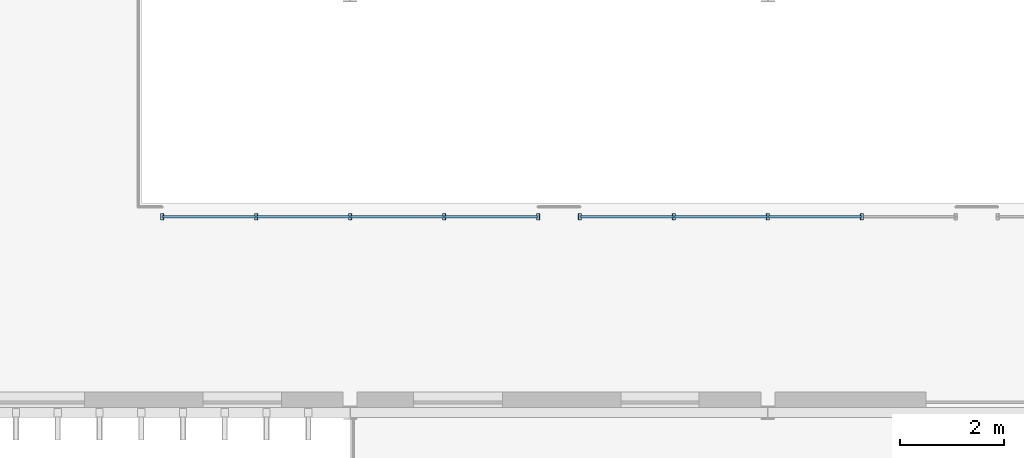
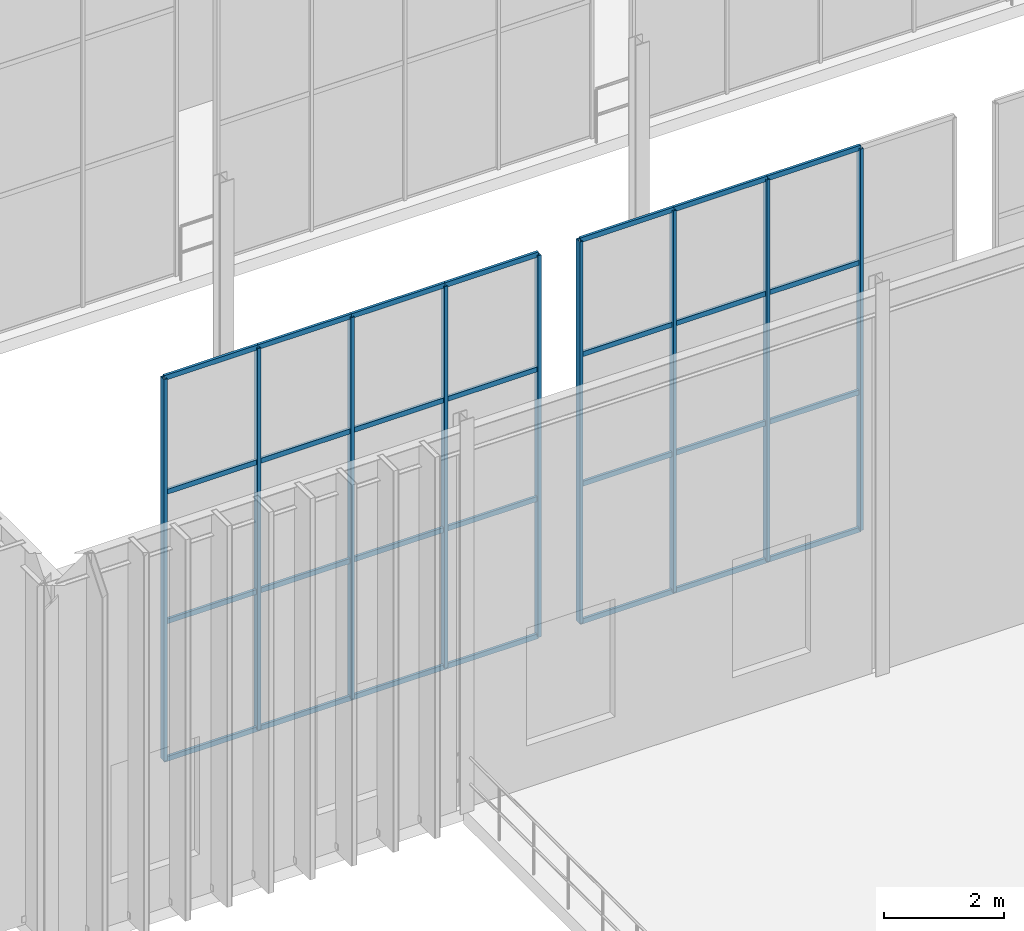
# One storey, part 56 of 138: 37 members, 2 elements without a shape of their own.
"""IFC4 building model written with IfcOpenShell, lengths in metres."""

import ifcopenshell
import ifcopenshell.guid

model = None  # the IFC model being written
_history = None  # IfcOwnerHistory: only IFC2X3 demands one
_inside = {}  # id of a spatial element -> (the spatial element, [elements in it])
_under = {}  # id of a project, library or spatial element -> (it, [spatial elements below it])
_declared = {}  # id of a project -> (the project, [libraries it declares])
_typed = {}  # id of a type object -> (the type object, [elements of that type])
_made_of = {}  # id of a material, layer set ... -> (it, [elements and type objects made of it])


def new_model(schema):
    """Start an empty IFC model of exactly this schema.

    Asked for "IFC4X3", IfcOpenShell would pick the latest addendum, in which some entities
    have other attributes; the version numbers below select the first issue.
    IFC2X3 requires an IfcOwnerHistory on every rooted entity: one is made here for all.
    """
    global model, _history
    if schema == "IFC4X3":
        model = ifcopenshell.file(schema_version=(4, 3, 0, 0))
    else:
        model = ifcopenshell.file(schema=schema)
    _inside.clear()
    _under.clear()
    _declared.clear()
    _typed.clear()
    _made_of.clear()
    _history = None
    if model.schema == "IFC2X3":
        org = make("IfcOrganization", Name="unknown")
        user = make(
            "IfcPersonAndOrganization",
            ThePerson=make("IfcPerson", FamilyName="unknown"),
            TheOrganization=org,
        )
        app = make(
            "IfcApplication",
            ApplicationDeveloper=org,
            Version="unknown",
            ApplicationFullName="unknown",
            ApplicationIdentifier="unknown",
        )
        _history = make(
            "IfcOwnerHistory",
            OwningUser=user,
            OwningApplication=app,
            ChangeAction="ADDED",
            CreationDate=0,
        )
    return model


def make(cls, **values):
    """One entity of the class cls with the attributes given. An attribute that is None is left unset."""
    return model.create_entity(
        cls, **{name: value for name, value in values.items() if value is not None}
    )


def rooted(cls, **values):
    """An entity with a GlobalId (a new one), such as an element, a storey or a relation."""
    return make(cls, GlobalId=ifcopenshell.guid.new(), OwnerHistory=_history, **values)


def si_unit(unit_type, name, prefix=None):
    """IfcSIUnit, for example si_unit("LENGTHUNIT", "METRE", prefix="MILLI")."""
    return make("IfcSIUnit", UnitType=unit_type, Prefix=prefix, Name=name)


def assignment(units):
    """IfcUnitAssignment: the units of a project."""
    return None if units is None else make("IfcUnitAssignment", Units=units)


def point(xyz):
    """IfcCartesianPoint."""
    return None if xyz is None else make("IfcCartesianPoint", Coordinates=xyz)


def direction(xyz):
    """IfcDirection."""
    return None if xyz is None else make("IfcDirection", DirectionRatios=xyz)


def frame(location, z_axis=None, x_axis=None):
    """IfcAxis2Placement3D, a coordinate frame: its origin and axes. An axis left out is left unset."""
    return make(
        "IfcAxis2Placement3D",
        Location=point(location),
        Axis=direction(z_axis),
        RefDirection=direction(x_axis),
    )


def frame_2d(location, x_axis=None):
    """IfcAxis2Placement2D, a coordinate frame in the plane: its origin and x axis."""
    return make(
        "IfcAxis2Placement2D", Location=point(location), RefDirection=direction(x_axis)
    )


def origin():
    """The frame at (0, 0, 0) with its axes left unset."""
    return frame((0.0, 0.0, 0.0))


def origin_2d():
    """The frame at (0, 0) in the plane with its x axis left unset."""
    return frame_2d((0.0, 0.0))


def place(relative_to, where):
    """IfcLocalPlacement: puts the frame where relative to a parent placement (None: the world)."""
    return make(
        "IfcLocalPlacement", PlacementRelTo=relative_to, RelativePlacement=where
    )


def context(
    kind, dimensions, precision=None, world=None, true_north=None, identifier=None
):
    """IfcGeometricRepresentationContext, for example the 3D "Model" context."""
    return make(
        "IfcGeometricRepresentationContext",
        ContextIdentifier=identifier,
        ContextType=kind,
        CoordinateSpaceDimension=dimensions,
        Precision=precision,
        WorldCoordinateSystem=world,
        TrueNorth=true_north,
    )


def subcontext(parent, identifier, kind, view, scale=None):
    """IfcGeometricRepresentationSubContext, for example "Body" below "Model"."""
    return make(
        "IfcGeometricRepresentationSubContext",
        ContextIdentifier=identifier,
        ContextType=kind,
        ParentContext=parent,
        TargetScale=scale,
        TargetView=view,
    )


def project(units=None, contexts=None):
    """IfcProject with its units and contexts."""
    return rooted(
        "IfcProject",
        Name="project",
        RepresentationContexts=contexts,
        UnitsInContext=assignment(units),
    )


def spatial(cls, under=None, at=None, **own):
    """A site, building, storey or space (cls), placed at a placement, below another one or the project."""
    s = rooted(cls, ObjectPlacement=at, **own)
    if under is not None:
        _under.setdefault(under.id(), (under, []))[1].append(s)
    return s


def profile(cls, at=None, kind="AREA", **sizes):
    """A parametric profile (cls). Its sizes go by their IFC names, for example OverallWidth=200.0."""
    return make(cls, ProfileType=kind, Position=at, **sizes)


def hollow_rectangle(**sizes):
    """IfcRectangleHollowProfileDef."""
    return profile("IfcRectangleHollowProfileDef", **sizes)


def extrude(swept, where, along, depth):
    """IfcExtrudedAreaSolid: the profile swept, set in the frame where, extruded along a direction by depth."""
    return make(
        "IfcExtrudedAreaSolid",
        SweptArea=swept,
        Position=where,
        ExtrudedDirection=direction(along),
        Depth=depth,
    )


def shape(context_of_items, identifier, shape_type, items):
    """IfcShapeRepresentation: the items that make up one representation, for example the "Body"."""
    return make(
        "IfcShapeRepresentation",
        ContextOfItems=context_of_items,
        RepresentationIdentifier=identifier,
        RepresentationType=shape_type,
        Items=items,
    )


def material(Name=None, Category=None):
    """IfcMaterial."""
    return make("IfcMaterial", Name=Name, Category=Category)


def material_profile(
    of_material, cross_section, Name=None, Category=None, Priority=None
):
    """IfcMaterialProfile: a cross section and its material."""
    return make(
        "IfcMaterialProfile",
        Name=Name,
        Material=of_material,
        Profile=cross_section,
        Priority=Priority,
        Category=Category,
    )


def profile_set(profiles, Name=None, composite=None):
    """IfcMaterialProfileSet."""
    return make(
        "IfcMaterialProfileSet",
        Name=Name,
        MaterialProfiles=profiles,
        CompositeProfile=composite,
    )


def made_of(thing, what):
    """Note that an element or type object is made of a material, layer set ...; save() writes the relation."""
    if what is not None:
        _made_of.setdefault(what.id(), (what, []))[1].append(thing)
    return thing


def type_object(cls, material=None, **own):
    """A type object (cls), such as IfcWallType, which elements share."""
    return made_of(rooted(cls, **own), material)


def element(
    cls,
    number,
    at=None,
    inside=None,
    cuts=None,
    type_object=None,
    material=None,
    context=None,
    identifier="Body",
    shape_type=None,
    held_by="IfcProductDefinitionShape",
    body=None,
    shapes=None,
    **own,
):
    """One element of the class cls, such as IfcWall. Its Tag is "e" and its number.

    at: its placement. inside: the storey or other place that contains it. cuts: it is an
    opening in that element (IfcRelVoidsElement). A single representation is given by context,
    identifier, shape_type and body (its items); several are given by shapes. held_by: the class
    of the entity that holds the representations. save() writes the other relations.
    """
    e = rooted(cls, Tag="e%d" % number, ObjectPlacement=at, **own)
    if body is not None:
        shapes = [shape(context, identifier, shape_type, body)]
    if shapes is not None:
        e.Representation = make(held_by, Representations=shapes)
    if inside is not None:
        _inside.setdefault(inside.id(), (inside, []))[1].append(e)
    if cuts is not None:
        rooted(
            "IfcRelVoidsElement", RelatingBuildingElement=cuts, RelatedOpeningElement=e
        )
    if type_object is not None:
        _typed.setdefault(type_object.id(), (type_object, []))[1].append(e)
    return made_of(e, material)


def aggregate(whole, parts):
    """IfcRelAggregates: a whole, such as a stair, and the parts it consists of."""
    return rooted("IfcRelAggregates", RelatingObject=whole, RelatedObjects=parts)


def save(model, path):
    """Write the relations noted so far, then the file.

    IfcRelAggregates (storeys below a building ...), IfcRelContainedInSpatialStructure (elements
    in a storey), IfcRelDefinesByType, IfcRelAssociatesMaterial and IfcRelDeclares: one each for
    every whole, place, type object, material and project.
    """
    for whole, parts in _under.values():
        aggregate(whole, parts)
    for where, things in _inside.values():
        rooted(
            "IfcRelContainedInSpatialStructure",
            RelatedElements=things,
            RelatingStructure=where,
        )
    for kind, things in _typed.values():
        rooted("IfcRelDefinesByType", RelatedObjects=things, RelatingType=kind)
    for what, things in _made_of.values():
        rooted("IfcRelAssociatesMaterial", RelatedObjects=things, RelatingMaterial=what)
    for by, libraries in _declared.values():
        rooted("IfcRelDeclares", RelatingContext=by, RelatedDefinitions=libraries)
    model.write(path)


model = new_model("IFC4")

# Units and contexts
model_context = context("Model", 3, precision=1e-05, world=origin(), true_north=direction((0.0, 1.0)))
body_context = subcontext(model_context, "Body", "Model", "MODEL_VIEW")
ifc_project = project(units=[si_unit("LENGTHUNIT", "METRE"), si_unit("AREAUNIT", "SQUARE_METRE"), si_unit("VOLUMEUNIT", "CUBIC_METRE"), si_unit("PLANEANGLEUNIT", "RADIAN"), si_unit("MASSUNIT", "GRAM", prefix="KILO")], contexts=[model_context])

# Site, building, storey
site_placement = place(None, origin())
site = spatial("IfcSite", under=ifc_project, at=site_placement, CompositionType="ELEMENT")
building_placement = place(site_placement, origin())
building = spatial("IfcBuilding", under=site, at=building_placement, Name="Sundkrona Museum", CompositionType="ELEMENT")
storey_placement = place(building_placement, frame((0.0, 0.0, 9.60009765625)))
storey = spatial("IfcBuildingStorey", under=building, at=storey_placement, Name="L02", CompositionType="ELEMENT", Elevation=9.60009765625)

# Curtain wall, members
ifc_material_1 = material(Name="Unitised Aluminium-Steel and Ceramic-Clad Curtain Walling", Category="steel")
curtain_wall_type = type_object("IfcCurtainWallType", Name="CW-CL-64x48", PredefinedType="NOTDEFINED", material=ifc_material_1)
curtain_wall_1_placement = place(storey_placement, origin())
curtain_wall_1 = element("IfcCurtainWall", 1, at=curtain_wall_1_placement, inside=storey, type_object=curtain_wall_type, Name="L02 Curtain Wall CW-L02-130", PredefinedType="NOTDEFINED")
ifc_material_2 = material(Name="Aluminium EN AW-6060 T66", Category="aluminium")
ifc_material_profile_1 = material_profile(ifc_material_2, hollow_rectangle(XDim=0.06005859375, YDim=0.1201171875, WallThickness=0.0048828125, at=origin_2d()), Name="RHS 120x60x5.0")
ifc_profile_set_1 = profile_set([ifc_material_profile_1], Name="Aluminium EN AW-6060 T66")
member_type_1 = type_object("IfcMemberType", Name="ML-120", PredefinedType="MULLION", material=ifc_profile_set_1)
member_1_placement = place(storey_placement, frame((20.39990234375, 81.75, -0.004150390625), z_axis=(0.0, 0.0, 1.0), x_axis=(1.0, 0.0, 0.0)))
member_1 = element("IfcMember", 2, at=member_1_placement, type_object=member_type_1, Name="CW-L02-130 Mullion 01", PredefinedType="MULLION", context=body_context, shape_type="SweptSolid", body=[
    extrude(hollow_rectangle(XDim=0.06005859375, YDim=0.1201171875, WallThickness=0.0048828125, at=origin_2d()), origin(), (0.0, 0.0, 1.0), 7.76806640625),
])
member_2_placement = place(storey_placement, frame((22.199951171875, 81.75, -0.004150390625), z_axis=(0.0, 0.0, 1.0), x_axis=(1.0, 0.0, 0.0)))
member_2 = element("IfcMember", 3, at=member_2_placement, type_object=member_type_1, Name="CW-L02-130 Mullion 02", PredefinedType="MULLION", context=body_context, shape_type="SweptSolid", body=[
    extrude(hollow_rectangle(XDim=0.06005859375, YDim=0.1201171875, WallThickness=0.0048828125, at=origin_2d()), origin(), (0.0, 0.0, 1.0), 7.76806640625),
])
member_3_placement = place(storey_placement, frame((24.0, 81.75, -0.004150390625), z_axis=(0.0, 0.0, 1.0), x_axis=(1.0, 0.0, 0.0)))
member_3 = element("IfcMember", 4, at=member_3_placement, type_object=member_type_1, Name="CW-L02-130 Mullion 03", PredefinedType="MULLION", context=body_context, shape_type="SweptSolid", body=[
    extrude(hollow_rectangle(XDim=0.06005859375, YDim=0.1201171875, WallThickness=0.0048828125, at=origin_2d()), origin(), (0.0, 0.0, 1.0), 7.76806640625),
])
member_4_placement = place(storey_placement, frame((25.800048828125, 81.75, -0.004150390625), z_axis=(0.0, 0.0, 1.0), x_axis=(1.0, 0.0, 0.0)))
member_4 = element("IfcMember", 5, at=member_4_placement, type_object=member_type_1, Name="CW-L02-130 Mullion 04", PredefinedType="MULLION", context=body_context, shape_type="SweptSolid", body=[
    extrude(hollow_rectangle(XDim=0.06005859375, YDim=0.1201171875, WallThickness=0.0048828125, at=origin_2d()), origin(), (0.0, 0.0, 1.0), 7.76806640625),
])
member_5_placement = place(storey_placement, frame((27.60009765625, 81.75, -0.004150390625), z_axis=(0.0, 0.0, 1.0), x_axis=(1.0, 0.0, 0.0)))
member_5 = element("IfcMember", 6, at=member_5_placement, type_object=member_type_1, Name="CW-L02-130 Mullion 05", PredefinedType="MULLION", context=body_context, shape_type="SweptSolid", body=[
    extrude(hollow_rectangle(XDim=0.06005859375, YDim=0.1201171875, WallThickness=0.0048828125, at=origin_2d()), origin(), (0.0, 0.0, 1.0), 7.76806640625),
])

curtain_wall_2_placement = place(storey_placement, origin())
curtain_wall_2 = element("IfcCurtainWall", 7, at=curtain_wall_2_placement, inside=storey, type_object=curtain_wall_type, Name="L02 Curtain Wall CW-L02-132", PredefinedType="NOTDEFINED")
member_6_placement = place(storey_placement, frame((28.39990234375, 81.75, -0.004150390625), z_axis=(0.0, 0.0, 1.0), x_axis=(1.0, 0.0, 0.0)))
member_6 = element("IfcMember", 8, at=member_6_placement, type_object=member_type_1, Name="CW-L02-132 Mullion 01", PredefinedType="MULLION", context=body_context, shape_type="SweptSolid", body=[
    extrude(hollow_rectangle(XDim=0.06005859375, YDim=0.1201171875, WallThickness=0.0048828125, at=origin_2d()), origin(), (0.0, 0.0, 1.0), 7.76806640625),
])
member_7_placement = place(storey_placement, frame((30.199951171875, 81.75, -0.004150390625), z_axis=(0.0, 0.0, 1.0), x_axis=(1.0, 0.0, 0.0)))
member_7 = element("IfcMember", 9, at=member_7_placement, type_object=member_type_1, Name="CW-L02-132 Mullion 02", PredefinedType="MULLION", context=body_context, shape_type="SweptSolid", body=[
    extrude(hollow_rectangle(XDim=0.06005859375, YDim=0.1201171875, WallThickness=0.0048828125, at=origin_2d()), origin(), (0.0, 0.0, 1.0), 7.76806640625),
])
member_8_placement = place(storey_placement, frame((32.0, 81.75, -0.004150390625), z_axis=(0.0, 0.0, 1.0), x_axis=(1.0, 0.0, 0.0)))
member_8 = element("IfcMember", 10, at=member_8_placement, type_object=member_type_1, Name="CW-L02-132 Mullion 03", PredefinedType="MULLION", context=body_context, shape_type="SweptSolid", body=[
    extrude(hollow_rectangle(XDim=0.06005859375, YDim=0.1201171875, WallThickness=0.0048828125, at=origin_2d()), origin(), (0.0, 0.0, 1.0), 7.76806640625),
])
member_9_placement = place(storey_placement, frame((33.800048828125, 81.75, -0.004150390625), z_axis=(0.0, 0.0, 1.0), x_axis=(1.0, 0.0, 0.0)))
member_9 = element("IfcMember", 11, at=member_9_placement, type_object=member_type_1, Name="CW-L02-132 Mullion 04", PredefinedType="MULLION", context=body_context, shape_type="SweptSolid", body=[
    extrude(hollow_rectangle(XDim=0.06005859375, YDim=0.1201171875, WallThickness=0.0048828125, at=origin_2d()), origin(), (0.0, 0.0, 1.0), 7.76806640625),
])

# Member
ifc_material_profile_2 = material_profile(ifc_material_2, hollow_rectangle(XDim=0.050048828125, YDim=0.10009765625, WallThickness=0.0048828125, at=origin_2d()), Name="RHS 100x50x5.0")
ifc_profile_set_2 = profile_set([ifc_material_profile_2], Name="Aluminium EN AW-6060 T66")
member_type_2 = type_object("IfcMemberType", Name="TR-100", PredefinedType="USERDEFINED", material=ifc_profile_set_2)
member_10_placement = place(storey_placement, frame((20.39990234375, 81.75, -0.004150390625), z_axis=(1.0, 0.0, 0.0), x_axis=(0.0, 1.0, 0.0)))
member_10 = element("IfcMember", 12, at=member_10_placement, type_object=member_type_2, Name="CW-L02-130 Transom 01", ObjectType="TRANSOM", PredefinedType="USERDEFINED", context=body_context, shape_type="SweptSolid", body=[
    extrude(hollow_rectangle(XDim=0.050048828125, YDim=0.10009765625, WallThickness=0.0048828125, at=origin_2d()), origin(), (0.0, 0.0, 1.0), 1.800048828125),
])

member_11_placement = place(storey_placement, frame((20.39990234375, 81.75, 2.7939453125), z_axis=(1.0, 0.0, 0.0), x_axis=(0.0, 1.0, 0.0)))
member_11 = element("IfcMember", 13, at=member_11_placement, type_object=member_type_2, Name="CW-L02-130 Transom 02", ObjectType="TRANSOM", PredefinedType="USERDEFINED", context=body_context, shape_type="SweptSolid", body=[
    extrude(hollow_rectangle(XDim=0.050048828125, YDim=0.10009765625, WallThickness=0.0048828125, at=origin_2d()), origin(), (0.0, 0.0, 1.0), 1.800048828125),
])

member_12_placement = place(storey_placement, frame((20.39990234375, 81.75, 5.431884765625), z_axis=(1.0, 0.0, 0.0), x_axis=(0.0, 1.0, 0.0)))
member_12 = element("IfcMember", 14, at=member_12_placement, type_object=member_type_2, Name="CW-L02-130 Transom 03", ObjectType="TRANSOM", PredefinedType="USERDEFINED", context=body_context, shape_type="SweptSolid", body=[
    extrude(hollow_rectangle(XDim=0.050048828125, YDim=0.10009765625, WallThickness=0.0048828125, at=origin_2d()), origin(), (0.0, 0.0, 1.0), 1.800048828125),
])

member_13_placement = place(storey_placement, frame((20.39990234375, 81.75, 7.763916015625), z_axis=(1.0, 0.0, 0.0), x_axis=(0.0, 1.0, 0.0)))
member_13 = element("IfcMember", 15, at=member_13_placement, type_object=member_type_2, Name="CW-L02-130 Transom 04", ObjectType="TRANSOM", PredefinedType="USERDEFINED", context=body_context, shape_type="SweptSolid", body=[
    extrude(hollow_rectangle(XDim=0.050048828125, YDim=0.10009765625, WallThickness=0.0048828125, at=origin_2d()), origin(), (0.0, 0.0, 1.0), 1.800048828125),
])

member_14_placement = place(storey_placement, frame((22.199951171875, 81.75, -0.004150390625), z_axis=(1.0, 0.0, 0.0), x_axis=(0.0, 1.0, 0.0)))
member_14 = element("IfcMember", 16, at=member_14_placement, type_object=member_type_2, Name="CW-L02-130 Transom 05", ObjectType="TRANSOM", PredefinedType="USERDEFINED", context=body_context, shape_type="SweptSolid", body=[
    extrude(hollow_rectangle(XDim=0.050048828125, YDim=0.10009765625, WallThickness=0.0048828125, at=origin_2d()), origin(), (0.0, 0.0, 1.0), 1.800048828125),
])

member_15_placement = place(storey_placement, frame((22.199951171875, 81.75, 2.7939453125), z_axis=(1.0, 0.0, 0.0), x_axis=(0.0, 1.0, 0.0)))
member_15 = element("IfcMember", 17, at=member_15_placement, type_object=member_type_2, Name="CW-L02-130 Transom 06", ObjectType="TRANSOM", PredefinedType="USERDEFINED", context=body_context, shape_type="SweptSolid", body=[
    extrude(hollow_rectangle(XDim=0.050048828125, YDim=0.10009765625, WallThickness=0.0048828125, at=origin_2d()), origin(), (0.0, 0.0, 1.0), 1.800048828125),
])

member_16_placement = place(storey_placement, frame((22.199951171875, 81.75, 5.431884765625), z_axis=(1.0, 0.0, 0.0), x_axis=(0.0, 1.0, 0.0)))
member_16 = element("IfcMember", 18, at=member_16_placement, type_object=member_type_2, Name="CW-L02-130 Transom 07", ObjectType="TRANSOM", PredefinedType="USERDEFINED", context=body_context, shape_type="SweptSolid", body=[
    extrude(hollow_rectangle(XDim=0.050048828125, YDim=0.10009765625, WallThickness=0.0048828125, at=origin_2d()), origin(), (0.0, 0.0, 1.0), 1.800048828125),
])

member_17_placement = place(storey_placement, frame((22.199951171875, 81.75, 7.763916015625), z_axis=(1.0, 0.0, 0.0), x_axis=(0.0, 1.0, 0.0)))
member_17 = element("IfcMember", 19, at=member_17_placement, type_object=member_type_2, Name="CW-L02-130 Transom 08", ObjectType="TRANSOM", PredefinedType="USERDEFINED", context=body_context, shape_type="SweptSolid", body=[
    extrude(hollow_rectangle(XDim=0.050048828125, YDim=0.10009765625, WallThickness=0.0048828125, at=origin_2d()), origin(), (0.0, 0.0, 1.0), 1.800048828125),
])

member_18_placement = place(storey_placement, frame((24.0, 81.75, -0.004150390625), z_axis=(1.0, 0.0, 0.0), x_axis=(0.0, 1.0, 0.0)))
member_18 = element("IfcMember", 20, at=member_18_placement, type_object=member_type_2, Name="CW-L02-130 Transom 09", ObjectType="TRANSOM", PredefinedType="USERDEFINED", context=body_context, shape_type="SweptSolid", body=[
    extrude(hollow_rectangle(XDim=0.050048828125, YDim=0.10009765625, WallThickness=0.0048828125, at=origin_2d()), origin(), (0.0, 0.0, 1.0), 1.800048828125),
])

member_19_placement = place(storey_placement, frame((24.0, 81.75, 2.7939453125), z_axis=(1.0, 0.0, 0.0), x_axis=(0.0, 1.0, 0.0)))
member_19 = element("IfcMember", 21, at=member_19_placement, type_object=member_type_2, Name="CW-L02-130 Transom 10", ObjectType="TRANSOM", PredefinedType="USERDEFINED", context=body_context, shape_type="SweptSolid", body=[
    extrude(hollow_rectangle(XDim=0.050048828125, YDim=0.10009765625, WallThickness=0.0048828125, at=origin_2d()), origin(), (0.0, 0.0, 1.0), 1.800048828125),
])

member_20_placement = place(storey_placement, frame((24.0, 81.75, 5.431884765625), z_axis=(1.0, 0.0, 0.0), x_axis=(0.0, 1.0, 0.0)))
member_20 = element("IfcMember", 22, at=member_20_placement, type_object=member_type_2, Name="CW-L02-130 Transom 11", ObjectType="TRANSOM", PredefinedType="USERDEFINED", context=body_context, shape_type="SweptSolid", body=[
    extrude(hollow_rectangle(XDim=0.050048828125, YDim=0.10009765625, WallThickness=0.0048828125, at=origin_2d()), origin(), (0.0, 0.0, 1.0), 1.800048828125),
])

member_21_placement = place(storey_placement, frame((24.0, 81.75, 7.763916015625), z_axis=(1.0, 0.0, 0.0), x_axis=(0.0, 1.0, 0.0)))
member_21 = element("IfcMember", 23, at=member_21_placement, type_object=member_type_2, Name="CW-L02-130 Transom 12", ObjectType="TRANSOM", PredefinedType="USERDEFINED", context=body_context, shape_type="SweptSolid", body=[
    extrude(hollow_rectangle(XDim=0.050048828125, YDim=0.10009765625, WallThickness=0.0048828125, at=origin_2d()), origin(), (0.0, 0.0, 1.0), 1.800048828125),
])

member_22_placement = place(storey_placement, frame((25.800048828125, 81.75, -0.004150390625), z_axis=(1.0, 0.0, 0.0), x_axis=(0.0, 1.0, 0.0)))
member_22 = element("IfcMember", 24, at=member_22_placement, type_object=member_type_2, Name="CW-L02-130 Transom 13", ObjectType="TRANSOM", PredefinedType="USERDEFINED", context=body_context, shape_type="SweptSolid", body=[
    extrude(hollow_rectangle(XDim=0.050048828125, YDim=0.10009765625, WallThickness=0.0048828125, at=origin_2d()), origin(), (0.0, 0.0, 1.0), 1.800048828125),
])

member_23_placement = place(storey_placement, frame((25.800048828125, 81.75, 2.7939453125), z_axis=(1.0, 0.0, 0.0), x_axis=(0.0, 1.0, 0.0)))
member_23 = element("IfcMember", 25, at=member_23_placement, type_object=member_type_2, Name="CW-L02-130 Transom 14", ObjectType="TRANSOM", PredefinedType="USERDEFINED", context=body_context, shape_type="SweptSolid", body=[
    extrude(hollow_rectangle(XDim=0.050048828125, YDim=0.10009765625, WallThickness=0.0048828125, at=origin_2d()), origin(), (0.0, 0.0, 1.0), 1.800048828125),
])

member_24_placement = place(storey_placement, frame((25.800048828125, 81.75, 5.431884765625), z_axis=(1.0, 0.0, 0.0), x_axis=(0.0, 1.0, 0.0)))
member_24 = element("IfcMember", 26, at=member_24_placement, type_object=member_type_2, Name="CW-L02-130 Transom 15", ObjectType="TRANSOM", PredefinedType="USERDEFINED", context=body_context, shape_type="SweptSolid", body=[
    extrude(hollow_rectangle(XDim=0.050048828125, YDim=0.10009765625, WallThickness=0.0048828125, at=origin_2d()), origin(), (0.0, 0.0, 1.0), 1.800048828125),
])

member_25_placement = place(storey_placement, frame((25.800048828125, 81.75, 7.763916015625), z_axis=(1.0, 0.0, 0.0), x_axis=(0.0, 1.0, 0.0)))
member_25 = element("IfcMember", 27, at=member_25_placement, type_object=member_type_2, Name="CW-L02-130 Transom 16", ObjectType="TRANSOM", PredefinedType="USERDEFINED", context=body_context, shape_type="SweptSolid", body=[
    extrude(hollow_rectangle(XDim=0.050048828125, YDim=0.10009765625, WallThickness=0.0048828125, at=origin_2d()), origin(), (0.0, 0.0, 1.0), 1.800048828125),
])

aggregate(curtain_wall_1, [member_1, member_2, member_3, member_4, member_5, member_10, member_11, member_12, member_13, member_14, member_15, member_16, member_17, member_18, member_19, member_20, member_21, member_22, member_23, member_24, member_25])

member_26_placement = place(storey_placement, frame((28.39990234375, 81.75, -0.004150390625), z_axis=(1.0, 0.0, 0.0), x_axis=(0.0, 1.0, 0.0)))
member_26 = element("IfcMember", 28, at=member_26_placement, type_object=member_type_2, Name="CW-L02-132 Transom 01", ObjectType="TRANSOM", PredefinedType="USERDEFINED", context=body_context, shape_type="SweptSolid", body=[
    extrude(hollow_rectangle(XDim=0.050048828125, YDim=0.10009765625, WallThickness=0.0048828125, at=origin_2d()), origin(), (0.0, 0.0, 1.0), 1.800048828125),
])

member_27_placement = place(storey_placement, frame((28.39990234375, 81.75, 2.7939453125), z_axis=(1.0, 0.0, 0.0), x_axis=(0.0, 1.0, 0.0)))
member_27 = element("IfcMember", 29, at=member_27_placement, type_object=member_type_2, Name="CW-L02-132 Transom 02", ObjectType="TRANSOM", PredefinedType="USERDEFINED", context=body_context, shape_type="SweptSolid", body=[
    extrude(hollow_rectangle(XDim=0.050048828125, YDim=0.10009765625, WallThickness=0.0048828125, at=origin_2d()), origin(), (0.0, 0.0, 1.0), 1.800048828125),
])

member_28_placement = place(storey_placement, frame((28.39990234375, 81.75, 5.431884765625), z_axis=(1.0, 0.0, 0.0), x_axis=(0.0, 1.0, 0.0)))
member_28 = element("IfcMember", 30, at=member_28_placement, type_object=member_type_2, Name="CW-L02-132 Transom 03", ObjectType="TRANSOM", PredefinedType="USERDEFINED", context=body_context, shape_type="SweptSolid", body=[
    extrude(hollow_rectangle(XDim=0.050048828125, YDim=0.10009765625, WallThickness=0.0048828125, at=origin_2d()), origin(), (0.0, 0.0, 1.0), 1.800048828125),
])

member_29_placement = place(storey_placement, frame((28.39990234375, 81.75, 7.763916015625), z_axis=(1.0, 0.0, 0.0), x_axis=(0.0, 1.0, 0.0)))
member_29 = element("IfcMember", 31, at=member_29_placement, type_object=member_type_2, Name="CW-L02-132 Transom 04", ObjectType="TRANSOM", PredefinedType="USERDEFINED", context=body_context, shape_type="SweptSolid", body=[
    extrude(hollow_rectangle(XDim=0.050048828125, YDim=0.10009765625, WallThickness=0.0048828125, at=origin_2d()), origin(), (0.0, 0.0, 1.0), 1.800048828125),
])

member_30_placement = place(storey_placement, frame((30.199951171875, 81.75, -0.004150390625), z_axis=(1.0, 0.0, 0.0), x_axis=(0.0, 1.0, 0.0)))
member_30 = element("IfcMember", 32, at=member_30_placement, type_object=member_type_2, Name="CW-L02-132 Transom 05", ObjectType="TRANSOM", PredefinedType="USERDEFINED", context=body_context, shape_type="SweptSolid", body=[
    extrude(hollow_rectangle(XDim=0.050048828125, YDim=0.10009765625, WallThickness=0.0048828125, at=origin_2d()), origin(), (0.0, 0.0, 1.0), 1.800048828125),
])

member_31_placement = place(storey_placement, frame((30.199951171875, 81.75, 2.7939453125), z_axis=(1.0, 0.0, 0.0), x_axis=(0.0, 1.0, 0.0)))
member_31 = element("IfcMember", 33, at=member_31_placement, type_object=member_type_2, Name="CW-L02-132 Transom 06", ObjectType="TRANSOM", PredefinedType="USERDEFINED", context=body_context, shape_type="SweptSolid", body=[
    extrude(hollow_rectangle(XDim=0.050048828125, YDim=0.10009765625, WallThickness=0.0048828125, at=origin_2d()), origin(), (0.0, 0.0, 1.0), 1.800048828125),
])

member_32_placement = place(storey_placement, frame((30.199951171875, 81.75, 5.431884765625), z_axis=(1.0, 0.0, 0.0), x_axis=(0.0, 1.0, 0.0)))
member_32 = element("IfcMember", 34, at=member_32_placement, type_object=member_type_2, Name="CW-L02-132 Transom 07", ObjectType="TRANSOM", PredefinedType="USERDEFINED", context=body_context, shape_type="SweptSolid", body=[
    extrude(hollow_rectangle(XDim=0.050048828125, YDim=0.10009765625, WallThickness=0.0048828125, at=origin_2d()), origin(), (0.0, 0.0, 1.0), 1.800048828125),
])

member_33_placement = place(storey_placement, frame((30.199951171875, 81.75, 7.763916015625), z_axis=(1.0, 0.0, 0.0), x_axis=(0.0, 1.0, 0.0)))
member_33 = element("IfcMember", 35, at=member_33_placement, type_object=member_type_2, Name="CW-L02-132 Transom 08", ObjectType="TRANSOM", PredefinedType="USERDEFINED", context=body_context, shape_type="SweptSolid", body=[
    extrude(hollow_rectangle(XDim=0.050048828125, YDim=0.10009765625, WallThickness=0.0048828125, at=origin_2d()), origin(), (0.0, 0.0, 1.0), 1.800048828125),
])

member_34_placement = place(storey_placement, frame((32.0, 81.75, -0.004150390625), z_axis=(1.0, 0.0, 0.0), x_axis=(0.0, 1.0, 0.0)))
member_34 = element("IfcMember", 36, at=member_34_placement, type_object=member_type_2, Name="CW-L02-132 Transom 09", ObjectType="TRANSOM", PredefinedType="USERDEFINED", context=body_context, shape_type="SweptSolid", body=[
    extrude(hollow_rectangle(XDim=0.050048828125, YDim=0.10009765625, WallThickness=0.0048828125, at=origin_2d()), origin(), (0.0, 0.0, 1.0), 1.800048828125),
])

member_35_placement = place(storey_placement, frame((32.0, 81.75, 2.7939453125), z_axis=(1.0, 0.0, 0.0), x_axis=(0.0, 1.0, 0.0)))
member_35 = element("IfcMember", 37, at=member_35_placement, type_object=member_type_2, Name="CW-L02-132 Transom 10", ObjectType="TRANSOM", PredefinedType="USERDEFINED", context=body_context, shape_type="SweptSolid", body=[
    extrude(hollow_rectangle(XDim=0.050048828125, YDim=0.10009765625, WallThickness=0.0048828125, at=origin_2d()), origin(), (0.0, 0.0, 1.0), 1.800048828125),
])

member_36_placement = place(storey_placement, frame((32.0, 81.75, 5.431884765625), z_axis=(1.0, 0.0, 0.0), x_axis=(0.0, 1.0, 0.0)))
member_36 = element("IfcMember", 38, at=member_36_placement, type_object=member_type_2, Name="CW-L02-132 Transom 11", ObjectType="TRANSOM", PredefinedType="USERDEFINED", context=body_context, shape_type="SweptSolid", body=[
    extrude(hollow_rectangle(XDim=0.050048828125, YDim=0.10009765625, WallThickness=0.0048828125, at=origin_2d()), origin(), (0.0, 0.0, 1.0), 1.800048828125),
])

member_37_placement = place(storey_placement, frame((32.0, 81.75, 7.763916015625), z_axis=(1.0, 0.0, 0.0), x_axis=(0.0, 1.0, 0.0)))
member_37 = element("IfcMember", 39, at=member_37_placement, type_object=member_type_2, Name="CW-L02-132 Transom 12", ObjectType="TRANSOM", PredefinedType="USERDEFINED", context=body_context, shape_type="SweptSolid", body=[
    extrude(hollow_rectangle(XDim=0.050048828125, YDim=0.10009765625, WallThickness=0.0048828125, at=origin_2d()), origin(), (0.0, 0.0, 1.0), 1.800048828125),
])

aggregate(curtain_wall_2, [member_6, member_7, member_8, member_9, member_26, member_27, member_28, member_29, member_30, member_31, member_32, member_33, member_34, member_35, member_36, member_37])

save(model, "model.ifc")
